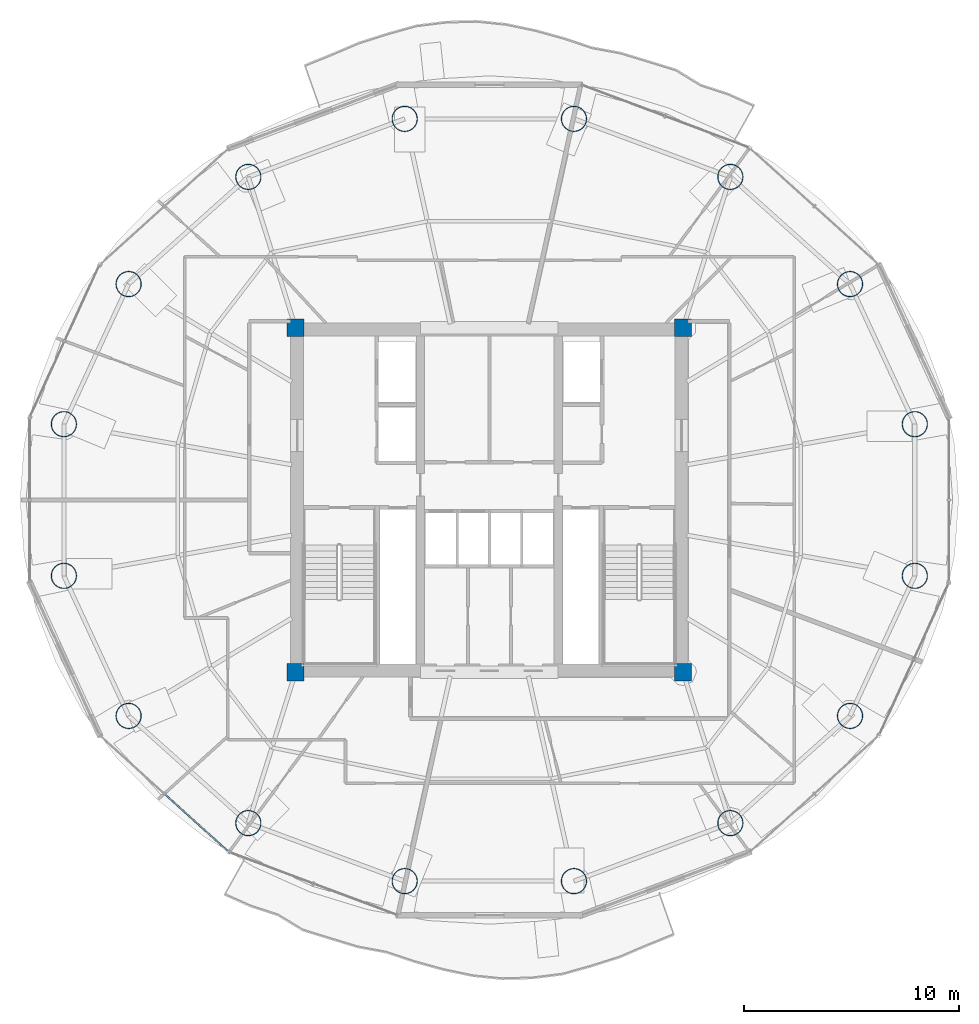
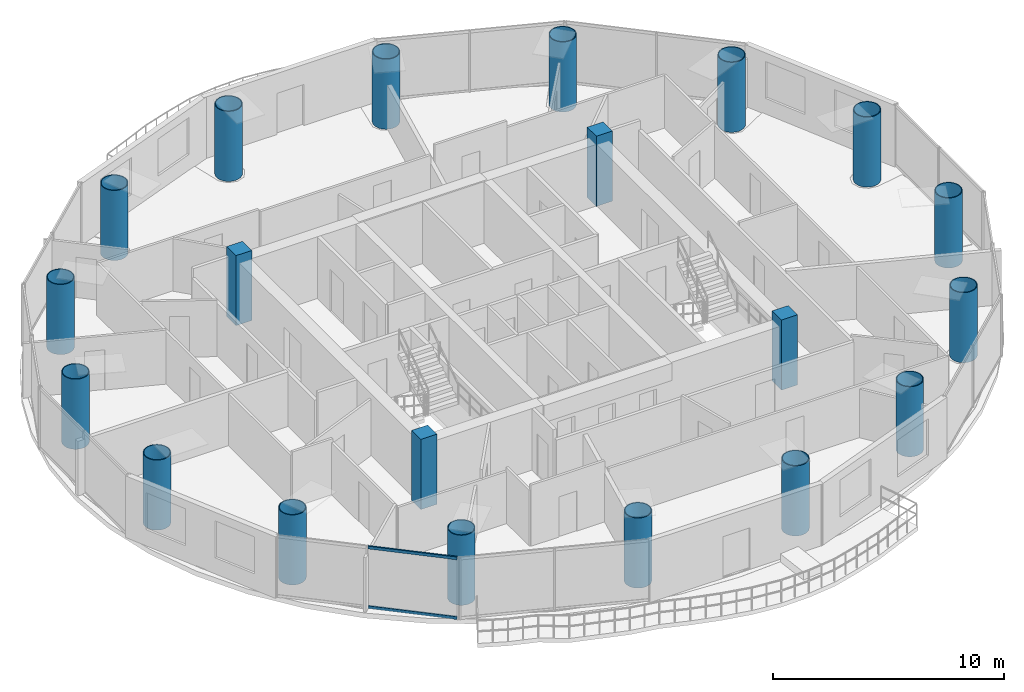
# One storey, part 1 of 26: 20 columns, 2 members, 1 element without a shape of its own.
"""IFC4 building model written with IfcOpenShell, lengths in metres."""

from ifc_helpers import new_model, si_unit, direction, frame, origin, origin_2d, place, context, subcontext, project, spatial, rectangle, hollow_rectangle, hollow_circle, extrude, source, transform, mapped, material, material_profile, profile_set, type_object, element, aggregate, save


model = new_model("IFC4")

# Units and contexts
model_context = context("Model", 3, precision=1e-05, world=origin(), true_north=direction((-0.2419218956, 0.970295726276)))
body_context = subcontext(model_context, "Body", "Model", "MODEL_VIEW")
ifc_project = project(units=[si_unit("LENGTHUNIT", "METRE"), si_unit("AREAUNIT", "SQUARE_METRE"), si_unit("VOLUMEUNIT", "CUBIC_METRE"), si_unit("PLANEANGLEUNIT", "RADIAN"), si_unit("MASSUNIT", "GRAM", prefix="KILO")], contexts=[model_context])

# Site, building, storey
site_placement = place(None, origin())
site = spatial("IfcSite", under=ifc_project, at=site_placement, CompositionType="ELEMENT")
building_placement = place(site_placement, origin())
building = spatial("IfcBuilding", under=site, at=building_placement, Name="Cobrevalo Terracotta Tower", CompositionType="ELEMENT")
storey_placement = place(building_placement, frame((0.0, 0.0, 239.300048828125)))
storey = spatial("IfcBuildingStorey", under=building, at=storey_placement, Name="L63", CompositionType="ELEMENT", Elevation=239.300048828125)

# Columns
ifc_material_1 = material(Name="Steel S355", Category="steel")
ifc_material_profile_1 = material_profile(ifc_material_1, hollow_circle(Radius=0.60009765625, WallThickness=0.0380859375, at=origin_2d()), Name="CHS 1200x38")
ifc_profile_set_1 = profile_set([ifc_material_profile_1], Name="Steel S355")
column_type_1 = type_object("IfcColumnType", Name="Structural Column CHS 1200x38 (Steel S355)", PredefinedType="COLUMN", material=ifc_profile_set_1)
for number, where, z_axis, x_axis, name in (
    (1, (57.762939453125, 30.3212890625, 0.0), (0.0, 0.0, 1.0), (1.0, 0.0, 0.0), "L63 composite megacolumn MC01"),
    (2, (54.754150390625, 36.828125, 0.0), (0.0, 0.0, 1.0), (1.0, 0.0, 0.0), "L63 composite megacolumn MC02"),
    (3, (49.19482421875, 41.80810546875, 0.0), (0.0, 0.0, 1.0), (1.0, 0.0, 0.0), "L63 composite megacolumn MC03"),
    (4, (41.93115234375, 44.503173828125, 0.0), (0.0, 0.0, 1.0), (1.0, 0.0, 0.0), "L63 composite megacolumn MC04"),
    (5, (34.06884765625, 44.503173828125, 0.0), (0.0, 0.0, 1.0), (1.0, 0.0, 0.0), "L63 composite megacolumn MC05"),
    (6, (26.80517578125, 41.80810546875, 0.0), (0.0, 0.0, 1.0), (1.0, 0.0, 0.0), "L63 composite megacolumn MC06"),
    (7, (21.245849609375, 36.828125, 0.0), (0.0, 0.0, 1.0), (1.0, 0.0, 0.0), "L63 composite megacolumn MC07"),
    (8, (18.237060546875, 30.3212890625, 0.0), (0.0, 0.0, 1.0), (1.0, 0.0, 0.0), "L63 composite megacolumn MC08"),
    (9, (18.237060546875, 23.278564453125, 0.0), (0.0, 0.0, 1.0), (1.0, 0.0, 0.0), "L63 composite megacolumn MC09"),
    (10, (21.245849609375, 16.77197265625, 0.0), (0.0, 0.0, 1.0), (1.0, 0.0, 0.0), "L63 composite megacolumn MC10"),
    (11, (26.80517578125, 11.7919921875, 0.0), (0.0, 0.0, 1.0), (1.0, 0.0, 0.0), "L63 composite megacolumn MC11"),
    (12, (34.06884765625, 9.096923828125, 0.0), (0.0, 0.0, 1.0), (1.0, 0.0, 0.0), "L63 composite megacolumn MC12"),
    (13, (41.93115234375, 9.096923828125, 0.0), (0.0, 0.0, 1.0), (1.0, 0.0, 0.0), "L63 composite megacolumn MC13"),
    (14, (49.19482421875, 11.7919921875, 0.0), (0.0, 0.0, 1.0), (1.0, 0.0, 0.0), "L63 composite megacolumn MC14"),
    (15, (54.754150390625, 16.77197265625, 0.0), (0.0, 0.0, 1.0), (1.0, 0.0, 0.0), "L63 composite megacolumn MC15"),
    (16, (57.762939453125, 23.278564453125, 0.0), (0.0, 0.0, 1.0), (1.0, 0.0, 0.0), "L63 composite megacolumn MC16"),
):
    element("IfcColumn", number, at=place(storey_placement, frame(where, z_axis=z_axis, x_axis=x_axis)), inside=storey, type_object=column_type_1, Name=name, PredefinedType="COLUMN", context=body_context, shape_type="SweptSolid", body=[
        extrude(hollow_circle(Radius=0.60009765625, WallThickness=0.0380859375, at=origin_2d()), origin(), (0.0, 0.0, 1.0), 3.699951171875),
    ])
ifc_material_2 = material(Name="Concrete C50", Category="concrete")
ifc_material_profile_2 = material_profile(ifc_material_2, rectangle(XDim=0.800048828125, YDim=0.800048828125, at=origin_2d()), Name="RC COL 800x800")
ifc_profile_set_2 = profile_set([ifc_material_profile_2], Name="Concrete C50")
column_type_2 = type_object("IfcColumnType", Name="Structural Column RC COL 800x800 (Concrete C50)", PredefinedType="COLUMN", material=ifc_profile_set_2)
for number, where, z_axis, x_axis, name in (
    (17, (29.0, 18.800048828125, 0.0), (0.0, 0.0, 1.0), (1.0, 0.0, 0.0), "L63 core corner column CC1"),
    (18, (47.0, 18.800048828125, 0.0), (0.0, 0.0, 1.0), (1.0, 0.0, 0.0), "L63 core corner column CC2"),
    (19, (47.0, 34.800048828125, 0.0), (0.0, 0.0, 1.0), (1.0, 0.0, 0.0), "L63 core corner column CC3"),
    (20, (29.0, 34.800048828125, 0.0), (0.0, 0.0, 1.0), (1.0, 0.0, 0.0), "L63 core corner column CC4"),
):
    element("IfcColumn", number, at=place(storey_placement, frame(where, z_axis=z_axis, x_axis=x_axis)), inside=storey, type_object=column_type_2, Name=name, PredefinedType="COLUMN", context=body_context, shape_type="SweptSolid", body=[
        extrude(rectangle(XDim=0.800048828125, YDim=0.800048828125, at=origin_2d()), origin(), (0.0, 0.0, 1.0), 3.699951171875),
    ])

# Curtain wall, members
ifc_material_3 = material(Name="Anodized aluminium", Category="aluminium")
curtain_wall_type = type_object("IfcCurtainWallType", Name="Mid-tower high-wind unitised curtain wall CW-U2", PredefinedType="NOTDEFINED", material=ifc_material_3)
curtain_wall_placement = place(storey_placement, origin())
curtain_wall = element("IfcCurtainWall", 21, at=curtain_wall_placement, inside=storey, type_object=curtain_wall_type, Name="L63 curtain wall CW-L63-S10", PredefinedType="NOTDEFINED")
ifc_material_profile_3 = material_profile(ifc_material_3, hollow_rectangle(XDim=0.074951171875, YDim=0.14990234375, WallThickness=0.00439453125, at=origin_2d()), Name="CWT 75x150")
ifc_profile_set_3 = profile_set([ifc_material_profile_3], Name="Anodized aluminium")
member_type = type_object("IfcMemberType", Name="Tower unitised aluminium transom 75x150", PredefinedType="USERDEFINED", material=ifc_profile_set_3)
shared_shape = source(origin(), body_context, "Body", "SweptSolid", [
    extrude(hollow_rectangle(XDim=0.074951171875, YDim=0.14990234375, WallThickness=0.00439453125, at=origin_2d()), origin(), (0.0, 0.0, 1.0), 3.927734375),
])
member_1_placement = place(storey_placement, frame((22.931640625, 13.131591796875, 0.050048828125), z_axis=(0.742003891138, -0.670395573923, 0.0), x_axis=(0.670395573923, 0.742003891138, 0.0)))
member_1 = element("IfcMember", 22, at=member_1_placement, type_object=member_type, Name="CW-L63-S10 transom B02-T1", ObjectType="TRANSOM", PredefinedType="USERDEFINED", context=body_context, shape_type="MappedRepresentation", body=[
    mapped(shared_shape, transform((0.0, 0.0, 0.0), scale=1.0)),
])
member_2_placement = place(storey_placement, frame((22.931640625, 13.131591796875, 3.199951171875), z_axis=(0.742003891138, -0.670395573923, 0.0), x_axis=(0.670395573923, 0.742003891138, 0.0)))
member_2 = element("IfcMember", 23, at=member_2_placement, type_object=member_type, Name="CW-L63-S10 transom B02-T2", ObjectType="TRANSOM", PredefinedType="USERDEFINED", context=body_context, shape_type="MappedRepresentation", body=[
    mapped(shared_shape, transform((0.0, 0.0, 0.0), scale=1.0)),
])
aggregate(curtain_wall, [member_1, member_2])

save(model, "model.ifc")
